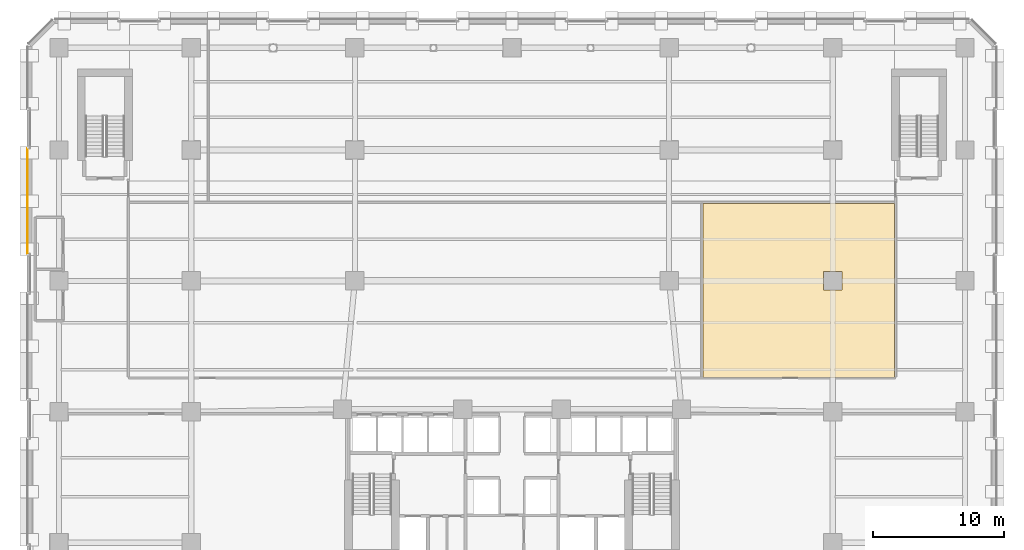
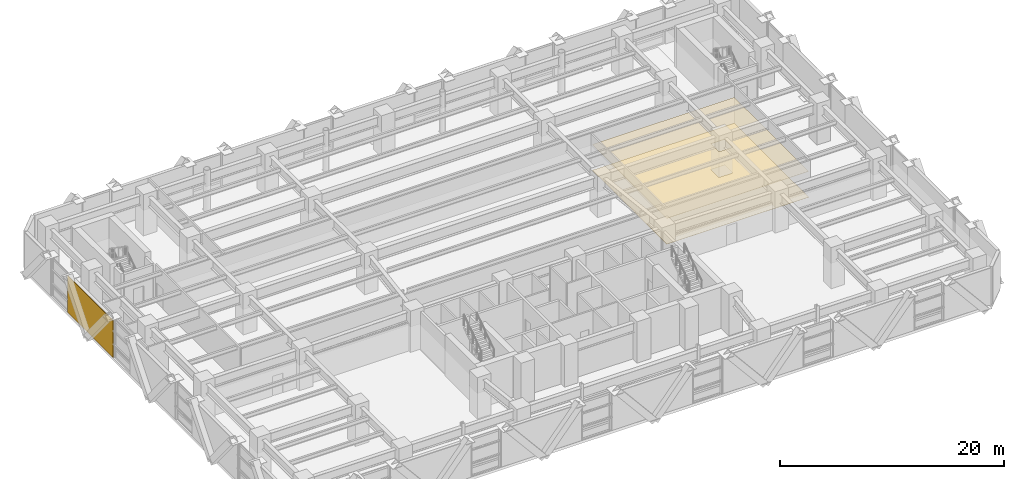
# One storey, part 23 of 26: 3 coverings.
"""IFC4 building model written with IfcOpenShell, lengths in metres."""

from ifc_helpers import new_model, si_unit, direction, frame, origin, place, context, subcontext, project, spatial, polyline, outline, extrude, material, layer, layer_set, type_object, element, save


model = new_model("IFC4")

# Units and contexts
model_context = context("Model", 3, precision=1e-05, world=origin(), true_north=direction((0.0, 1.0)))
body_context = subcontext(model_context, "Body", "Model", "MODEL_VIEW")
ifc_project = project(units=[si_unit("LENGTHUNIT", "METRE"), si_unit("AREAUNIT", "SQUARE_METRE"), si_unit("VOLUMEUNIT", "CUBIC_METRE"), si_unit("PLANEANGLEUNIT", "RADIAN"), si_unit("MASSUNIT", "GRAM", prefix="KILO")], contexts=[model_context])

# Site, building, storey
site_placement = place(None, origin())
site = spatial("IfcSite", under=ifc_project, at=site_placement, CompositionType="ELEMENT")
building_placement = place(site_placement, origin())
building = spatial("IfcBuilding", under=site, at=building_placement, Name="Quenlor Broadcast Tower", CompositionType="ELEMENT")
storey_placement = place(building_placement, frame((0.0, 0.0, 18.5)))
storey = spatial("IfcBuildingStorey", under=building, at=storey_placement, Name="L04", CompositionType="ELEMENT", Elevation=18.5)

# Coverings
ifc_material_1 = material(Name="Acoustic Mineral Fibre Board", Category="other")
ifc_layer_1 = layer(ifc_material_1, 0.02490234375)
ifc_layer_set_1 = layer_set([ifc_layer_1], Name="Acoustic Perforated Mineral Tile Ceiling 25")
covering_type_1 = type_object("IfcCoveringType", Name="Acoustic Perforated Mineral Tile Ceiling 25", PredefinedType="CEILING", material=ifc_layer_set_1)
covering_1_placement = place(storey_placement, frame((0.0, 0.0, 2.804931640625)))
element("IfcCovering", 1, at=covering_1_placement, inside=storey, type_object=covering_type_1, Name="L04 Acoustic Ceiling L04-35", PredefinedType="CEILING", context=body_context, shape_type="SweptSolid", body=[
    extrude(outline(polyline([(29.199951171875, -2.360107421875), (14.580078125, -2.360107421875), (14.580078125, 10.919921875), (29.199951171875, 10.919921875), (29.199951171875, -2.360107421875)]), holes=[polyline([(25.2080078125, 5.7080078125), (23.7919921875, 5.7080078125), (23.7919921875, 4.2919921875), (25.2080078125, 4.2919921875), (25.2080078125, 5.7080078125)])]), origin(), (0.0, 0.0, 1.0), 0.025146484375),
])
ifc_material_2 = material(Name="Architectural Terracotta Ceramic", Category="masonry")
ifc_layer_2 = layer(ifc_material_2, 0.044921875)
ifc_layer_set_2 = layer_set([ifc_layer_2], Name="Fluted Terracotta Rainscreen Cladding Panel")
covering_type_2 = type_object("IfcCoveringType", Name="Fluted Terracotta Rainscreen Cladding Panel", PredefinedType="CLADDING", material=ifc_layer_set_2)
covering_2_placement = place(storey_placement, frame((0.0, 0.0, 0.02001953125)))
element("IfcCovering", 2, at=covering_2_placement, inside=storey, type_object=covering_type_2, Name="L04 Terracotta Rainscreen Cladding L04-W-FULL-SP4", PredefinedType="CLADDING", context=body_context, shape_type="SweptSolid", body=[
    extrude(outline(polyline([(-36.971923828125, 7.064697265625), (-36.971923828125, 15.135498046875), (-37.01708984375, 15.135498046875), (-37.01708984375, 7.064697265625), (-36.971923828125, 7.064697265625)])), origin(), (0.0, 0.0, 1.0), 4.0400390625),
])
ifc_material_3 = material(Name="Terrazzo Stone Finish", Category="masonry")
ifc_layer_3 = layer(ifc_material_3, 0.02001953125)
ifc_layer_set_3 = layer_set([ifc_layer_3], Name="Polished Sandstone Terrazzo Flooring 20")
covering_type_3 = type_object("IfcCoveringType", Name="Polished Sandstone Terrazzo Flooring 20", PredefinedType="FLOORING", material=ifc_layer_set_3)
covering_3_placement = place(storey_placement, origin())
element("IfcCovering", 3, at=covering_3_placement, inside=storey, type_object=covering_type_3, Name="L04 Terrazzo Flooring L04-35", PredefinedType="FLOORING", context=body_context, shape_type="SweptSolid", body=[
    extrude(outline(polyline([(29.199951171875, -2.360107421875), (14.580078125, -2.360107421875), (14.580078125, 10.919921875), (29.199951171875, 10.919921875), (29.199951171875, -2.360107421875)]), holes=[polyline([(25.2080078125, 5.7080078125), (23.7919921875, 5.7080078125), (23.7919921875, 4.2919921875), (25.2080078125, 4.2919921875), (25.2080078125, 5.7080078125)])]), origin(), (0.0, 0.0, 1.0), 0.02001953125),
])

save(model, "model.ifc")
